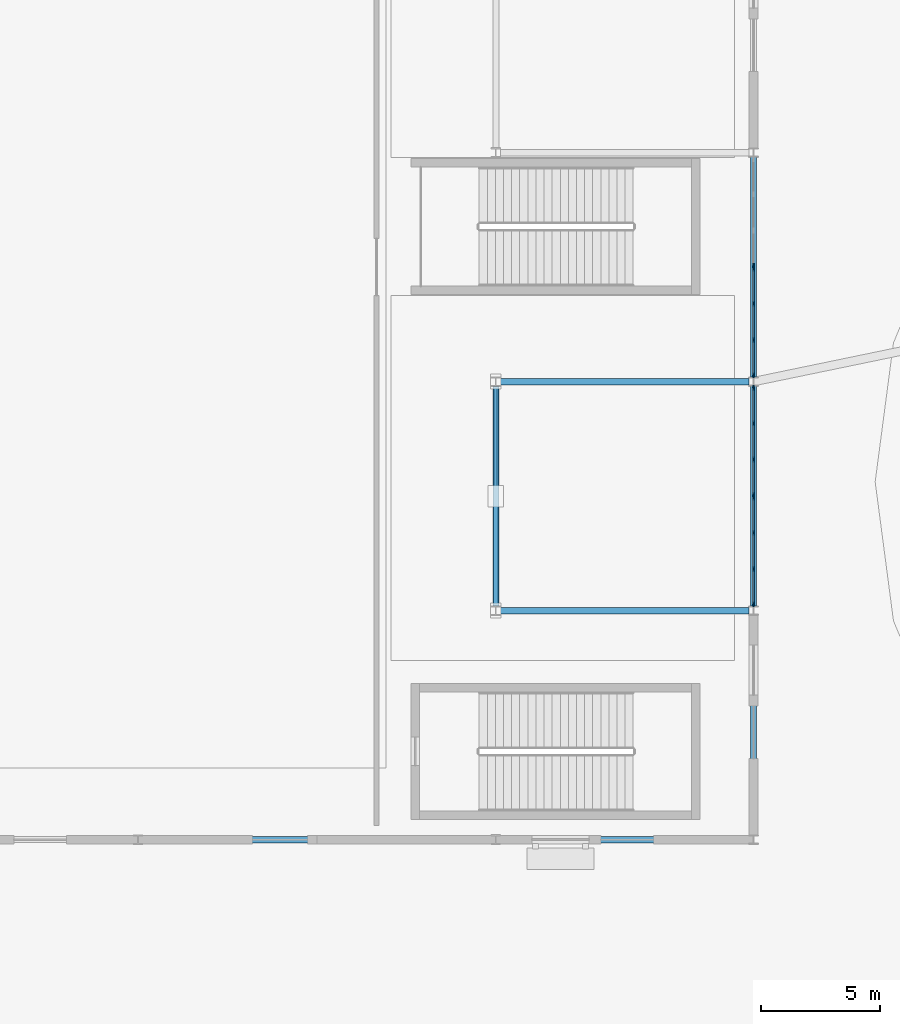
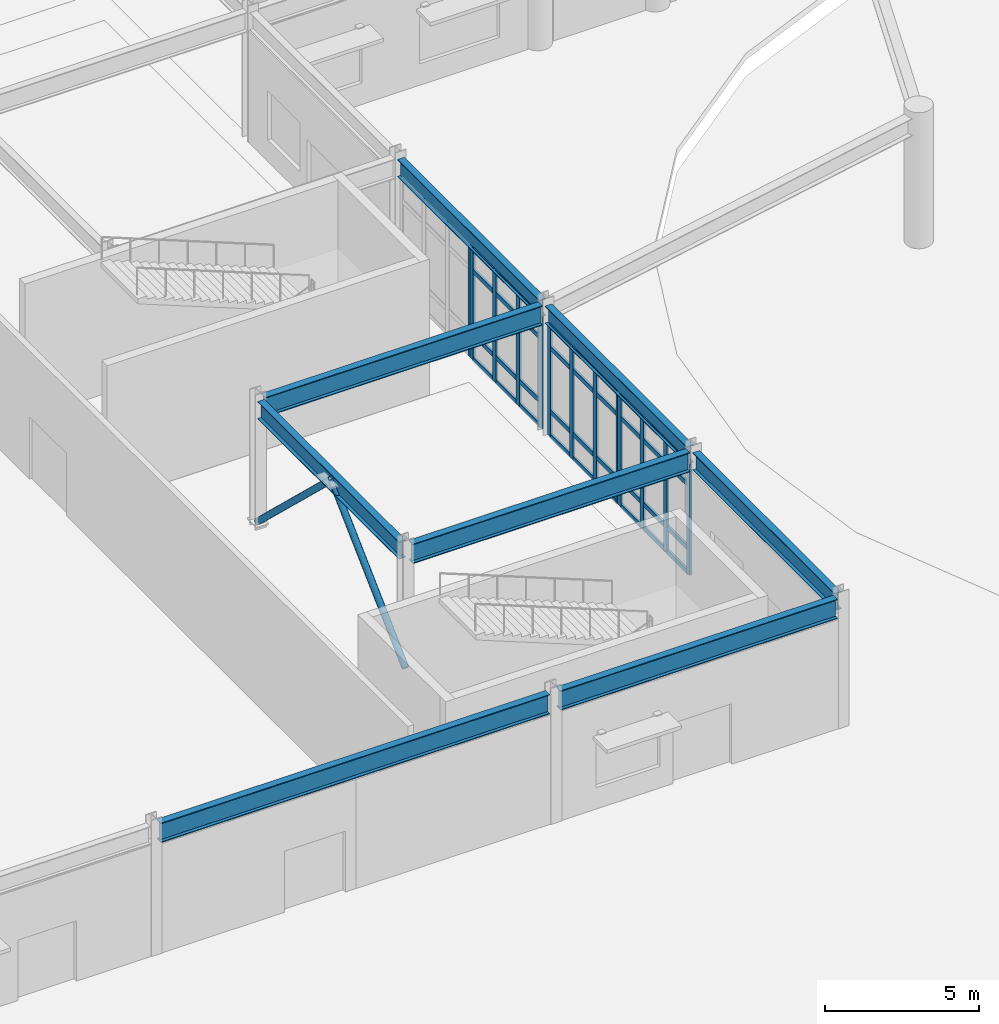
# One storey, part 14 of 54: 51 members, 8 beams, 4 elements without a shape of their own.
"""IFC4 building model written with IfcOpenShell, lengths in metres."""

from ifc_helpers import new_model, si_unit, direction, frame, origin, origin_2d, place, context, subcontext, project, spatial, rectangle, hollow_circle, i_section, extrude, material, material_profile, profile_set, type_object, element, aggregate, save


model = new_model("IFC4")

# Units and contexts
model_context = context("Model", 3, precision=1e-05, world=origin(), true_north=direction((0.0, 1.0)))
body_context = subcontext(model_context, "Body", "Model", "MODEL_VIEW")
ifc_project = project(units=[si_unit("LENGTHUNIT", "METRE"), si_unit("AREAUNIT", "SQUARE_METRE"), si_unit("VOLUMEUNIT", "CUBIC_METRE"), si_unit("PLANEANGLEUNIT", "RADIAN"), si_unit("MASSUNIT", "GRAM", prefix="KILO")], contexts=[model_context])

# Site, building, storey
site_placement = place(None, origin())
site = spatial("IfcSite", under=ifc_project, at=site_placement, CompositionType="ELEMENT")
building_placement = place(site_placement, origin())
building = spatial("IfcBuilding", under=site, at=building_placement, Name="Veldera Park Congress Hotel", CompositionType="ELEMENT")
storey_placement = place(building_placement, origin())
storey = spatial("IfcBuildingStorey", under=building, at=storey_placement, Name="L00", CompositionType="ELEMENT", Elevation=0.0)

# Beams
ifc_material_1 = material(Name="Steel ASTM A992 Gr.50", Category="steel")
ifc_material_profile_1 = material_profile(ifc_material_1, i_section(OverallWidth=0.256103515625, OverallDepth=0.693115234375, WebThickness=0.014404296875, FlangeThickness=0.023681640625, at=origin_2d()), Name="W27X114")
ifc_profile_set_1 = profile_set([ifc_material_profile_1], Name="Steel ASTM A992 Gr.50")
beam_type_1 = type_object("IfcBeamType", Name="BM-W27", PredefinedType="BEAM", material=ifc_profile_set_1)
beam_1_placement = place(storey_placement, frame((-12.39990234375, -11.196533203125, 4.7734375), z_axis=(0.0, 1.0, 0.0), x_axis=(-1.0, 0.0, 0.0)))
element("IfcBeam", 1, at=beam_1_placement, inside=storey, type_object=beam_type_1, Name="L00 Girder BM-W27 423", PredefinedType="BEAM", context=body_context, shape_type="SweptSolid", body=[
    extrude(i_section(OverallWidth=0.256103515625, OverallDepth=0.693115234375, WebThickness=0.014404296875, FlangeThickness=0.023681640625, at=origin_2d()), origin(), (0.0, 0.0, 1.0), 9.193115234375),
])
for number, where, z_axis, x_axis, name in (
    (2, (-1.60009765625, -20.8095703125, 4.7734375), (0.0, 1.0, 0.0), (-1.0, 0.0, 0.0), "L00 Girder BM-W27 429"),
    (3, (-1.60009765625, -11.20947265625, 4.7734375), (0.0, 1.0, 0.0), (-1.0, 0.0, 0.0), "L00 Girder BM-W27 430"),
):
    element("IfcBeam", number, at=place(storey_placement, frame(where, z_axis=z_axis, x_axis=x_axis)), inside=storey, type_object=beam_type_1, Name=name, PredefinedType="BEAM", context=body_context, shape_type="SweptSolid", body=[
        extrude(i_section(OverallWidth=0.256103515625, OverallDepth=0.693115234375, WebThickness=0.014404296875, FlangeThickness=0.023681640625, at=origin_2d()), origin(), (0.0, 0.0, 1.0), 9.218994140625),
    ])
beam_2_placement = place(storey_placement, frame((-1.60009765625, -1.609619140625, 4.7734375), z_axis=(0.0, 1.0, 0.0), x_axis=(-1.0, 0.0, 0.0)))
element("IfcBeam", 4, at=beam_2_placement, inside=storey, type_object=beam_type_1, Name="L00 Girder BM-W27 431", PredefinedType="BEAM", context=body_context, shape_type="SweptSolid", body=[
    extrude(i_section(OverallWidth=0.256103515625, OverallDepth=0.693115234375, WebThickness=0.014404296875, FlangeThickness=0.023681640625, at=origin_2d()), origin(), (0.0, 0.0, 1.0), 9.21923828125),
])
ifc_material_profile_2 = material_profile(ifc_material_1, i_section(OverallWidth=0.26708984375, OverallDepth=0.779052734375, WebThickness=0.0166015625, FlangeThickness=0.030029296875, at=origin_2d()), Name="W30X148")
ifc_profile_set_2 = profile_set([ifc_material_profile_2], Name="Steel ASTM A992 Gr.50")
beam_type_2 = type_object("IfcBeamType", Name="BM-W30", PredefinedType="BEAM", material=ifc_profile_set_2)
beam_3_placement = place(storey_placement, frame((-27.200439453125, -21.0, 4.73046875), z_axis=(1.0, 0.0, 0.0), x_axis=(0.0, 1.0, 0.0)))
element("IfcBeam", 5, at=beam_3_placement, inside=storey, type_object=beam_type_2, Name="L00 Girder BM-W30 305", PredefinedType="BEAM", context=body_context, shape_type="SweptSolid", body=[
    extrude(i_section(OverallWidth=0.26708984375, OverallDepth=0.779052734375, WebThickness=0.0166015625, FlangeThickness=0.030029296875, at=origin_2d()), origin(), (0.0, 0.0, 1.0), 14.597412109375),
])
beam_4_placement = place(storey_placement, frame((-12.197021484375, -21.0, 4.73046875), z_axis=(1.0, 0.0, 0.0), x_axis=(0.0, 1.0, 0.0)))
element("IfcBeam", 6, at=beam_4_placement, inside=storey, type_object=beam_type_2, Name="L00 Girder BM-W30 306", PredefinedType="BEAM", context=body_context, shape_type="SweptSolid", body=[
    extrude(i_section(OverallWidth=0.26708984375, OverallDepth=0.779052734375, WebThickness=0.0166015625, FlangeThickness=0.030029296875, at=origin_2d()), origin(), (0.0, 0.0, 1.0), 10.39892578125),
])
for number, where, z_axis, x_axis, name in (
    (7, (-12.197998046875, -11.39990234375, 4.73046875), (1.0, 0.0, 0.0), (0.0, 1.0, 0.0), "L00 Girder BM-W30 312"),
    (8, (-12.197998046875, -1.800048828125, 4.73046875), (1.0, 0.0, 0.0), (0.0, 1.0, 0.0), "L00 Girder BM-W30 315"),
):
    element("IfcBeam", number, at=place(storey_placement, frame(where, z_axis=z_axis, x_axis=x_axis)), inside=storey, type_object=beam_type_2, Name=name, PredefinedType="BEAM", context=body_context, shape_type="SweptSolid", body=[
        extrude(i_section(OverallWidth=0.26708984375, OverallDepth=0.779052734375, WebThickness=0.0166015625, FlangeThickness=0.030029296875, at=origin_2d()), origin(), (0.0, 0.0, 1.0), 10.39990234375),
    ])

# Members
ifc_material_2 = material(Name="Steel ASTM A500 Gr.C", Category="steel")
ifc_material_profile_3 = material_profile(ifc_material_2, hollow_circle(Radius=0.122314453125, WallThickness=0.012451171875, at=origin_2d()), Name="CHS 244.5x12.5")
ifc_profile_set_3 = profile_set([ifc_material_profile_3], Name="Steel ASTM A500 Gr.C")
member_type_1 = type_object("IfcMemberType", Name="BRC-CHS244", PredefinedType="BRACE", material=ifc_profile_set_3)
member_1_placement = place(storey_placement, frame((-12.39990234375, -11.39990234375, 0.199951171875), z_axis=(0.0, 0.723968893334, 0.689832618455), x_axis=(-1.0, 0.0, 0.0)))
element("IfcMember", 9, at=member_1_placement, inside=storey, type_object=member_type_1, Name="L00 Chevron Brace 6A", PredefinedType="BRACE", context=body_context, shape_type="SweptSolid", body=[
    extrude(hollow_circle(Radius=0.122314453125, WallThickness=0.012451171875, at=origin_2d()), origin(), (0.0, 0.0, 1.0), 6.6298828125),
])
member_2_placement = place(storey_placement, frame((-12.39990234375, -1.800048828125, 0.199951171875), z_axis=(0.0, -0.723986416254, 0.689814227948), x_axis=(1.0, 0.0, 0.0)))
element("IfcMember", 10, at=member_2_placement, inside=storey, type_object=member_type_1, Name="L00 Chevron Brace 6B", PredefinedType="BRACE", context=body_context, shape_type="SweptSolid", body=[
    extrude(hollow_circle(Radius=0.122314453125, WallThickness=0.012451171875, at=origin_2d()), origin(), (0.0, 0.0, 1.0), 6.630126953125),
])

# Curtain wall, members
ifc_material_3 = material(Name="Low-E Triple Insulating Glass Unit (SHGC 0.22)", Category="glass")
curtain_wall_type = type_object("IfcCurtainWallType", Name="CW-POD", PredefinedType="NOTDEFINED", material=ifc_material_3)
curtain_wall_1_placement = place(storey_placement, origin())
curtain_wall_1 = element("IfcCurtainWall", 11, at=curtain_wall_1_placement, inside=storey, type_object=curtain_wall_type, Name="L00 Curtain Wall CW3-V1E-L00-001", PredefinedType="NOTDEFINED")
ifc_material_4 = material(Name="Anodised Aluminium Alloy 6063-T6", Category="aluminium")
ifc_material_profile_4 = material_profile(ifc_material_4, rectangle(XDim=0.080078125, YDim=0.219970703125, at=origin_2d()), Name="ALU 80x220")
ifc_profile_set_4 = profile_set([ifc_material_profile_4], Name="Anodised Aluminium Alloy 6063-T6")
member_type_2 = type_object("IfcMemberType", Name="CWM-220", PredefinedType="MULLION", material=ifc_profile_set_4)
member_3_placement = place(storey_placement, frame((-1.60009765625, -11.12939453125, 0.0), z_axis=(0.0, 0.0, 1.0), x_axis=(-1.0, 0.0, 0.0)))
member_3 = element("IfcMember", 12, at=member_3_placement, type_object=member_type_2, Name="CW-POD mullion 1", PredefinedType="MULLION", context=body_context, shape_type="SweptSolid", body=[
    extrude(rectangle(XDim=0.080078125, YDim=0.219970703125, at=origin_2d()), origin(), (0.0, 0.0, 1.0), 4.422119140625),
])
member_4_placement = place(storey_placement, frame((-1.60009765625, -9.6513671875, 0.0), z_axis=(0.0, 0.0, 1.0), x_axis=(-1.0, 0.0, 0.0)))
member_4 = element("IfcMember", 13, at=member_4_placement, type_object=member_type_2, Name="CW-POD mullion 2", PredefinedType="MULLION", context=body_context, shape_type="SweptSolid", body=[
    extrude(rectangle(XDim=0.080078125, YDim=0.219970703125, at=origin_2d()), origin(), (0.0, 0.0, 1.0), 4.422119140625),
])
member_5_placement = place(storey_placement, frame((-1.60009765625, -8.133056640625, 0.0), z_axis=(0.0, 0.0, 1.0), x_axis=(-1.0, 0.0, 0.0)))
member_5 = element("IfcMember", 14, at=member_5_placement, type_object=member_type_2, Name="CW-POD mullion 3", PredefinedType="MULLION", context=body_context, shape_type="SweptSolid", body=[
    extrude(rectangle(XDim=0.080078125, YDim=0.219970703125, at=origin_2d()), origin(), (0.0, 0.0, 1.0), 4.422119140625),
])
member_6_placement = place(storey_placement, frame((-1.60009765625, -6.655029296875, 0.0), z_axis=(0.0, 0.0, 1.0), x_axis=(-1.0, 0.0, 0.0)))
member_6 = element("IfcMember", 15, at=member_6_placement, type_object=member_type_2, Name="CW-POD mullion 4", PredefinedType="MULLION", context=body_context, shape_type="SweptSolid", body=[
    extrude(rectangle(XDim=0.080078125, YDim=0.219970703125, at=origin_2d()), origin(), (0.0, 0.0, 1.0), 4.422119140625),
])

curtain_wall_2_placement = place(storey_placement, origin())
curtain_wall_2 = element("IfcCurtainWall", 16, at=curtain_wall_2_placement, inside=storey, type_object=curtain_wall_type, Name="L00 Curtain Wall CW3-V1E-L00-002", PredefinedType="NOTDEFINED")
member_7_placement = place(storey_placement, frame((-1.60009765625, -6.544921875, 0.0), z_axis=(0.0, 0.0, 1.0), x_axis=(-1.0, 0.0, 0.0)))
member_7 = element("IfcMember", 17, at=member_7_placement, type_object=member_type_2, Name="CW-POD mullion 1", PredefinedType="MULLION", context=body_context, shape_type="SweptSolid", body=[
    extrude(rectangle(XDim=0.080078125, YDim=0.219970703125, at=origin_2d()), origin(), (0.0, 0.0, 1.0), 4.422119140625),
])
member_8_placement = place(storey_placement, frame((-1.60009765625, -5.06689453125, 0.0), z_axis=(0.0, 0.0, 1.0), x_axis=(-1.0, 0.0, 0.0)))
member_8 = element("IfcMember", 18, at=member_8_placement, type_object=member_type_2, Name="CW-POD mullion 2", PredefinedType="MULLION", context=body_context, shape_type="SweptSolid", body=[
    extrude(rectangle(XDim=0.080078125, YDim=0.219970703125, at=origin_2d()), origin(), (0.0, 0.0, 1.0), 4.422119140625),
])
member_9_placement = place(storey_placement, frame((-1.60009765625, -3.548583984375, 0.0), z_axis=(0.0, 0.0, 1.0), x_axis=(-1.0, 0.0, 0.0)))
member_9 = element("IfcMember", 19, at=member_9_placement, type_object=member_type_2, Name="CW-POD mullion 3", PredefinedType="MULLION", context=body_context, shape_type="SweptSolid", body=[
    extrude(rectangle(XDim=0.080078125, YDim=0.219970703125, at=origin_2d()), origin(), (0.0, 0.0, 1.0), 4.422119140625),
])
member_10_placement = place(storey_placement, frame((-1.60009765625, -2.070556640625, 0.0), z_axis=(0.0, 0.0, 1.0), x_axis=(-1.0, 0.0, 0.0)))
member_10 = element("IfcMember", 20, at=member_10_placement, type_object=member_type_2, Name="CW-POD mullion 4", PredefinedType="MULLION", context=body_context, shape_type="SweptSolid", body=[
    extrude(rectangle(XDim=0.080078125, YDim=0.219970703125, at=origin_2d()), origin(), (0.0, 0.0, 1.0), 4.422119140625),
])

curtain_wall_3_placement = place(storey_placement, origin())
curtain_wall_3 = element("IfcCurtainWall", 21, at=curtain_wall_3_placement, inside=storey, type_object=curtain_wall_type, Name="L00 Curtain Wall CW3-V1E-L00-003", PredefinedType="NOTDEFINED")
member_11_placement = place(storey_placement, frame((-1.60009765625, -1.529541015625, 0.0), z_axis=(0.0, 0.0, 1.0), x_axis=(-1.0, 0.0, 0.0)))
member_11 = element("IfcMember", 22, at=member_11_placement, type_object=member_type_2, Name="CW-POD mullion 1", PredefinedType="MULLION", context=body_context, shape_type="SweptSolid", body=[
    extrude(rectangle(XDim=0.080078125, YDim=0.219970703125, at=origin_2d()), origin(), (0.0, 0.0, 1.0), 4.422119140625),
])
member_12_placement = place(storey_placement, frame((-1.60009765625, -0.05126953125, 0.0), z_axis=(0.0, 0.0, 1.0), x_axis=(-1.0, 0.0, 0.0)))
member_12 = element("IfcMember", 23, at=member_12_placement, type_object=member_type_2, Name="CW-POD mullion 2", PredefinedType="MULLION", context=body_context, shape_type="SweptSolid", body=[
    extrude(rectangle(XDim=0.080078125, YDim=0.219970703125, at=origin_2d()), origin(), (0.0, 0.0, 1.0), 4.422119140625),
])
member_13_placement = place(storey_placement, frame((-1.60009765625, 1.466796875, 0.0), z_axis=(0.0, 0.0, 1.0), x_axis=(-1.0, 0.0, 0.0)))
member_13 = element("IfcMember", 24, at=member_13_placement, type_object=member_type_2, Name="CW-POD mullion 3", PredefinedType="MULLION", context=body_context, shape_type="SweptSolid", body=[
    extrude(rectangle(XDim=0.080078125, YDim=0.219970703125, at=origin_2d()), origin(), (0.0, 0.0, 1.0), 4.422119140625),
])
member_14_placement = place(storey_placement, frame((-1.60009765625, 2.945068359375, 0.0), z_axis=(0.0, 0.0, 1.0), x_axis=(-1.0, 0.0, 0.0)))
member_14 = element("IfcMember", 25, at=member_14_placement, type_object=member_type_2, Name="CW-POD mullion 4", PredefinedType="MULLION", context=body_context, shape_type="SweptSolid", body=[
    extrude(rectangle(XDim=0.080078125, YDim=0.219970703125, at=origin_2d()), origin(), (0.0, 0.0, 1.0), 4.422119140625),
])

# Curtain wall, member
curtain_wall_4_placement = place(storey_placement, origin())
curtain_wall_4 = element("IfcCurtainWall", 26, at=curtain_wall_4_placement, inside=storey, type_object=curtain_wall_type, Name="L00 Curtain Wall CW3-V1E-L00-004", PredefinedType="NOTDEFINED")
member_15_placement = place(storey_placement, frame((-1.60009765625, 3.054931640625, 0.0), z_axis=(0.0, 0.0, 1.0), x_axis=(-1.0, 0.0, 0.0)))
member_15 = element("IfcMember", 27, at=member_15_placement, type_object=member_type_2, Name="CW-POD mullion 1", PredefinedType="MULLION", context=body_context, shape_type="SweptSolid", body=[
    extrude(rectangle(XDim=0.080078125, YDim=0.219970703125, at=origin_2d()), origin(), (0.0, 0.0, 1.0), 4.422119140625),
])
aggregate(curtain_wall_4, [member_15])

# Member
ifc_material_profile_5 = material_profile(ifc_material_4, rectangle(XDim=0.080078125, YDim=0.179931640625, at=origin_2d()), Name="ALU 80x180")
ifc_profile_set_5 = profile_set([ifc_material_profile_5], Name="Anodised Aluminium Alloy 6063-T6")
member_type_3 = type_object("IfcMemberType", Name="CWT-180", PredefinedType="USERDEFINED", material=ifc_profile_set_5)
member_16_placement = place(storey_placement, frame((-1.60009765625, -11.089599609375, 0.0400390625), z_axis=(0.0, 1.0, 0.0), x_axis=(-1.0, 0.0, 0.0)))
member_16 = element("IfcMember", 28, at=member_16_placement, type_object=member_type_3, Name="CW-POD transom 1.1", ObjectType="TRANSOM", PredefinedType="USERDEFINED", context=body_context, shape_type="SweptSolid", body=[
    extrude(rectangle(XDim=0.080078125, YDim=0.179931640625, at=origin_2d()), origin(), (0.0, 0.0, 1.0), 1.398193359375),
])

member_17_placement = place(storey_placement, frame((-1.60009765625, -11.089599609375, 1.0), z_axis=(0.0, 1.0, 0.0), x_axis=(-1.0, 0.0, 0.0)))
member_17 = element("IfcMember", 29, at=member_17_placement, type_object=member_type_3, Name="CW-POD transom 1.2", ObjectType="TRANSOM", PredefinedType="USERDEFINED", context=body_context, shape_type="SweptSolid", body=[
    extrude(rectangle(XDim=0.080078125, YDim=0.179931640625, at=origin_2d()), origin(), (0.0, 0.0, 1.0), 1.398193359375),
])

member_18_placement = place(storey_placement, frame((-1.60009765625, -11.089599609375, 3.52197265625), z_axis=(0.0, 1.0, 0.0), x_axis=(-1.0, 0.0, 0.0)))
member_18 = element("IfcMember", 30, at=member_18_placement, type_object=member_type_3, Name="CW-POD transom 1.3", ObjectType="TRANSOM", PredefinedType="USERDEFINED", context=body_context, shape_type="SweptSolid", body=[
    extrude(rectangle(XDim=0.080078125, YDim=0.179931640625, at=origin_2d()), origin(), (0.0, 0.0, 1.0), 1.398193359375),
])

member_19_placement = place(storey_placement, frame((-1.60009765625, -11.089599609375, 4.382080078125), z_axis=(0.0, 1.0, 0.0), x_axis=(-1.0, 0.0, 0.0)))
member_19 = element("IfcMember", 31, at=member_19_placement, type_object=member_type_3, Name="CW-POD transom 1.4", ObjectType="TRANSOM", PredefinedType="USERDEFINED", context=body_context, shape_type="SweptSolid", body=[
    extrude(rectangle(XDim=0.080078125, YDim=0.179931640625, at=origin_2d()), origin(), (0.0, 0.0, 1.0), 1.398193359375),
])

member_20_placement = place(storey_placement, frame((-1.60009765625, -9.611328125, 0.0400390625), z_axis=(0.0, 1.0, 0.0), x_axis=(-1.0, 0.0, 0.0)))
member_20 = element("IfcMember", 32, at=member_20_placement, type_object=member_type_3, Name="CW-POD transom 2.1", ObjectType="TRANSOM", PredefinedType="USERDEFINED", context=body_context, shape_type="SweptSolid", body=[
    extrude(rectangle(XDim=0.080078125, YDim=0.179931640625, at=origin_2d()), origin(), (0.0, 0.0, 1.0), 1.438232421875),
])

member_21_placement = place(storey_placement, frame((-1.60009765625, -9.611328125, 1.0), z_axis=(0.0, 1.0, 0.0), x_axis=(-1.0, 0.0, 0.0)))
member_21 = element("IfcMember", 33, at=member_21_placement, type_object=member_type_3, Name="CW-POD transom 2.2", ObjectType="TRANSOM", PredefinedType="USERDEFINED", context=body_context, shape_type="SweptSolid", body=[
    extrude(rectangle(XDim=0.080078125, YDim=0.179931640625, at=origin_2d()), origin(), (0.0, 0.0, 1.0), 1.438232421875),
])

member_22_placement = place(storey_placement, frame((-1.60009765625, -9.611328125, 3.52197265625), z_axis=(0.0, 1.0, 0.0), x_axis=(-1.0, 0.0, 0.0)))
member_22 = element("IfcMember", 34, at=member_22_placement, type_object=member_type_3, Name="CW-POD transom 2.3", ObjectType="TRANSOM", PredefinedType="USERDEFINED", context=body_context, shape_type="SweptSolid", body=[
    extrude(rectangle(XDim=0.080078125, YDim=0.179931640625, at=origin_2d()), origin(), (0.0, 0.0, 1.0), 1.438232421875),
])

member_23_placement = place(storey_placement, frame((-1.60009765625, -9.611328125, 4.382080078125), z_axis=(0.0, 1.0, 0.0), x_axis=(-1.0, 0.0, 0.0)))
member_23 = element("IfcMember", 35, at=member_23_placement, type_object=member_type_3, Name="CW-POD transom 2.4", ObjectType="TRANSOM", PredefinedType="USERDEFINED", context=body_context, shape_type="SweptSolid", body=[
    extrude(rectangle(XDim=0.080078125, YDim=0.179931640625, at=origin_2d()), origin(), (0.0, 0.0, 1.0), 1.438232421875),
])

member_24_placement = place(storey_placement, frame((-1.60009765625, -8.09326171875, 0.0400390625), z_axis=(0.0, 1.0, 0.0), x_axis=(-1.0, 0.0, 0.0)))
member_24 = element("IfcMember", 36, at=member_24_placement, type_object=member_type_3, Name="CW-POD transom 3.1", ObjectType="TRANSOM", PredefinedType="USERDEFINED", context=body_context, shape_type="SweptSolid", body=[
    extrude(rectangle(XDim=0.080078125, YDim=0.179931640625, at=origin_2d()), origin(), (0.0, 0.0, 1.0), 1.398193359375),
])

member_25_placement = place(storey_placement, frame((-1.60009765625, -8.09326171875, 1.0), z_axis=(0.0, 1.0, 0.0), x_axis=(-1.0, 0.0, 0.0)))
member_25 = element("IfcMember", 37, at=member_25_placement, type_object=member_type_3, Name="CW-POD transom 3.2", ObjectType="TRANSOM", PredefinedType="USERDEFINED", context=body_context, shape_type="SweptSolid", body=[
    extrude(rectangle(XDim=0.080078125, YDim=0.179931640625, at=origin_2d()), origin(), (0.0, 0.0, 1.0), 1.398193359375),
])

member_26_placement = place(storey_placement, frame((-1.60009765625, -8.09326171875, 3.52197265625), z_axis=(0.0, 1.0, 0.0), x_axis=(-1.0, 0.0, 0.0)))
member_26 = element("IfcMember", 38, at=member_26_placement, type_object=member_type_3, Name="CW-POD transom 3.3", ObjectType="TRANSOM", PredefinedType="USERDEFINED", context=body_context, shape_type="SweptSolid", body=[
    extrude(rectangle(XDim=0.080078125, YDim=0.179931640625, at=origin_2d()), origin(), (0.0, 0.0, 1.0), 1.398193359375),
])

member_27_placement = place(storey_placement, frame((-1.60009765625, -8.09326171875, 4.382080078125), z_axis=(0.0, 1.0, 0.0), x_axis=(-1.0, 0.0, 0.0)))
member_27 = element("IfcMember", 39, at=member_27_placement, type_object=member_type_3, Name="CW-POD transom 3.4", ObjectType="TRANSOM", PredefinedType="USERDEFINED", context=body_context, shape_type="SweptSolid", body=[
    extrude(rectangle(XDim=0.080078125, YDim=0.179931640625, at=origin_2d()), origin(), (0.0, 0.0, 1.0), 1.398193359375),
])

aggregate(curtain_wall_1, [member_3, member_4, member_5, member_6, member_16, member_17, member_18, member_19, member_20, member_21, member_22, member_23, member_24, member_25, member_26, member_27])

member_28_placement = place(storey_placement, frame((-1.60009765625, -6.5048828125, 0.0400390625), z_axis=(0.0, 1.0, 0.0), x_axis=(-1.0, 0.0, 0.0)))
member_28 = element("IfcMember", 40, at=member_28_placement, type_object=member_type_3, Name="CW-POD transom 1.1", ObjectType="TRANSOM", PredefinedType="USERDEFINED", context=body_context, shape_type="SweptSolid", body=[
    extrude(rectangle(XDim=0.080078125, YDim=0.179931640625, at=origin_2d()), origin(), (0.0, 0.0, 1.0), 1.39794921875),
])

member_29_placement = place(storey_placement, frame((-1.60009765625, -6.5048828125, 1.0), z_axis=(0.0, 1.0, 0.0), x_axis=(-1.0, 0.0, 0.0)))
member_29 = element("IfcMember", 41, at=member_29_placement, type_object=member_type_3, Name="CW-POD transom 1.2", ObjectType="TRANSOM", PredefinedType="USERDEFINED", context=body_context, shape_type="SweptSolid", body=[
    extrude(rectangle(XDim=0.080078125, YDim=0.179931640625, at=origin_2d()), origin(), (0.0, 0.0, 1.0), 1.39794921875),
])

member_30_placement = place(storey_placement, frame((-1.60009765625, -6.5048828125, 3.52197265625), z_axis=(0.0, 1.0, 0.0), x_axis=(-1.0, 0.0, 0.0)))
member_30 = element("IfcMember", 42, at=member_30_placement, type_object=member_type_3, Name="CW-POD transom 1.3", ObjectType="TRANSOM", PredefinedType="USERDEFINED", context=body_context, shape_type="SweptSolid", body=[
    extrude(rectangle(XDim=0.080078125, YDim=0.179931640625, at=origin_2d()), origin(), (0.0, 0.0, 1.0), 1.39794921875),
])

member_31_placement = place(storey_placement, frame((-1.60009765625, -6.5048828125, 4.382080078125), z_axis=(0.0, 1.0, 0.0), x_axis=(-1.0, 0.0, 0.0)))
member_31 = element("IfcMember", 43, at=member_31_placement, type_object=member_type_3, Name="CW-POD transom 1.4", ObjectType="TRANSOM", PredefinedType="USERDEFINED", context=body_context, shape_type="SweptSolid", body=[
    extrude(rectangle(XDim=0.080078125, YDim=0.179931640625, at=origin_2d()), origin(), (0.0, 0.0, 1.0), 1.39794921875),
])

member_32_placement = place(storey_placement, frame((-1.60009765625, -5.02685546875, 0.0400390625), z_axis=(0.0, 1.0, 0.0), x_axis=(-1.0, 0.0, 0.0)))
member_32 = element("IfcMember", 44, at=member_32_placement, type_object=member_type_3, Name="CW-POD transom 2.1", ObjectType="TRANSOM", PredefinedType="USERDEFINED", context=body_context, shape_type="SweptSolid", body=[
    extrude(rectangle(XDim=0.080078125, YDim=0.179931640625, at=origin_2d()), origin(), (0.0, 0.0, 1.0), 1.438232421875),
])

member_33_placement = place(storey_placement, frame((-1.60009765625, -5.02685546875, 1.0), z_axis=(0.0, 1.0, 0.0), x_axis=(-1.0, 0.0, 0.0)))
member_33 = element("IfcMember", 45, at=member_33_placement, type_object=member_type_3, Name="CW-POD transom 2.2", ObjectType="TRANSOM", PredefinedType="USERDEFINED", context=body_context, shape_type="SweptSolid", body=[
    extrude(rectangle(XDim=0.080078125, YDim=0.179931640625, at=origin_2d()), origin(), (0.0, 0.0, 1.0), 1.438232421875),
])

member_34_placement = place(storey_placement, frame((-1.60009765625, -5.02685546875, 3.52197265625), z_axis=(0.0, 1.0, 0.0), x_axis=(-1.0, 0.0, 0.0)))
member_34 = element("IfcMember", 46, at=member_34_placement, type_object=member_type_3, Name="CW-POD transom 2.3", ObjectType="TRANSOM", PredefinedType="USERDEFINED", context=body_context, shape_type="SweptSolid", body=[
    extrude(rectangle(XDim=0.080078125, YDim=0.179931640625, at=origin_2d()), origin(), (0.0, 0.0, 1.0), 1.438232421875),
])

member_35_placement = place(storey_placement, frame((-1.60009765625, -5.02685546875, 4.382080078125), z_axis=(0.0, 1.0, 0.0), x_axis=(-1.0, 0.0, 0.0)))
member_35 = element("IfcMember", 47, at=member_35_placement, type_object=member_type_3, Name="CW-POD transom 2.4", ObjectType="TRANSOM", PredefinedType="USERDEFINED", context=body_context, shape_type="SweptSolid", body=[
    extrude(rectangle(XDim=0.080078125, YDim=0.179931640625, at=origin_2d()), origin(), (0.0, 0.0, 1.0), 1.438232421875),
])

member_36_placement = place(storey_placement, frame((-1.60009765625, -3.508544921875, 0.0400390625), z_axis=(0.0, 1.0, 0.0), x_axis=(-1.0, 0.0, 0.0)))
member_36 = element("IfcMember", 48, at=member_36_placement, type_object=member_type_3, Name="CW-POD transom 3.1", ObjectType="TRANSOM", PredefinedType="USERDEFINED", context=body_context, shape_type="SweptSolid", body=[
    extrude(rectangle(XDim=0.080078125, YDim=0.179931640625, at=origin_2d()), origin(), (0.0, 0.0, 1.0), 1.39794921875),
])

member_37_placement = place(storey_placement, frame((-1.60009765625, -3.508544921875, 1.0), z_axis=(0.0, 1.0, 0.0), x_axis=(-1.0, 0.0, 0.0)))
member_37 = element("IfcMember", 49, at=member_37_placement, type_object=member_type_3, Name="CW-POD transom 3.2", ObjectType="TRANSOM", PredefinedType="USERDEFINED", context=body_context, shape_type="SweptSolid", body=[
    extrude(rectangle(XDim=0.080078125, YDim=0.179931640625, at=origin_2d()), origin(), (0.0, 0.0, 1.0), 1.39794921875),
])

member_38_placement = place(storey_placement, frame((-1.60009765625, -3.508544921875, 3.52197265625), z_axis=(0.0, 1.0, 0.0), x_axis=(-1.0, 0.0, 0.0)))
member_38 = element("IfcMember", 50, at=member_38_placement, type_object=member_type_3, Name="CW-POD transom 3.3", ObjectType="TRANSOM", PredefinedType="USERDEFINED", context=body_context, shape_type="SweptSolid", body=[
    extrude(rectangle(XDim=0.080078125, YDim=0.179931640625, at=origin_2d()), origin(), (0.0, 0.0, 1.0), 1.39794921875),
])

member_39_placement = place(storey_placement, frame((-1.60009765625, -3.508544921875, 4.382080078125), z_axis=(0.0, 1.0, 0.0), x_axis=(-1.0, 0.0, 0.0)))
member_39 = element("IfcMember", 51, at=member_39_placement, type_object=member_type_3, Name="CW-POD transom 3.4", ObjectType="TRANSOM", PredefinedType="USERDEFINED", context=body_context, shape_type="SweptSolid", body=[
    extrude(rectangle(XDim=0.080078125, YDim=0.179931640625, at=origin_2d()), origin(), (0.0, 0.0, 1.0), 1.39794921875),
])

aggregate(curtain_wall_2, [member_7, member_8, member_9, member_10, member_28, member_29, member_30, member_31, member_32, member_33, member_34, member_35, member_36, member_37, member_38, member_39])

member_40_placement = place(storey_placement, frame((-1.60009765625, -1.489501953125, 0.0400390625), z_axis=(0.0, 1.0, 0.0), x_axis=(-1.0, 0.0, 0.0)))
member_40 = element("IfcMember", 52, at=member_40_placement, type_object=member_type_3, Name="CW-POD transom 1.1", ObjectType="TRANSOM", PredefinedType="USERDEFINED", context=body_context, shape_type="SweptSolid", body=[
    extrude(rectangle(XDim=0.080078125, YDim=0.179931640625, at=origin_2d()), origin(), (0.0, 0.0, 1.0), 1.398193359375),
])

member_41_placement = place(storey_placement, frame((-1.60009765625, -1.489501953125, 1.0), z_axis=(0.0, 1.0, 0.0), x_axis=(-1.0, 0.0, 0.0)))
member_41 = element("IfcMember", 53, at=member_41_placement, type_object=member_type_3, Name="CW-POD transom 1.2", ObjectType="TRANSOM", PredefinedType="USERDEFINED", context=body_context, shape_type="SweptSolid", body=[
    extrude(rectangle(XDim=0.080078125, YDim=0.179931640625, at=origin_2d()), origin(), (0.0, 0.0, 1.0), 1.398193359375),
])

member_42_placement = place(storey_placement, frame((-1.60009765625, -1.489501953125, 3.52197265625), z_axis=(0.0, 1.0, 0.0), x_axis=(-1.0, 0.0, 0.0)))
member_42 = element("IfcMember", 54, at=member_42_placement, type_object=member_type_3, Name="CW-POD transom 1.3", ObjectType="TRANSOM", PredefinedType="USERDEFINED", context=body_context, shape_type="SweptSolid", body=[
    extrude(rectangle(XDim=0.080078125, YDim=0.179931640625, at=origin_2d()), origin(), (0.0, 0.0, 1.0), 1.398193359375),
])

member_43_placement = place(storey_placement, frame((-1.60009765625, -1.489501953125, 4.382080078125), z_axis=(0.0, 1.0, 0.0), x_axis=(-1.0, 0.0, 0.0)))
member_43 = element("IfcMember", 55, at=member_43_placement, type_object=member_type_3, Name="CW-POD transom 1.4", ObjectType="TRANSOM", PredefinedType="USERDEFINED", context=body_context, shape_type="SweptSolid", body=[
    extrude(rectangle(XDim=0.080078125, YDim=0.179931640625, at=origin_2d()), origin(), (0.0, 0.0, 1.0), 1.398193359375),
])

member_44_placement = place(storey_placement, frame((-1.60009765625, -0.01123046875, 0.0400390625), z_axis=(0.0, 1.0, 0.0), x_axis=(-1.0, 0.0, 0.0)))
member_44 = element("IfcMember", 56, at=member_44_placement, type_object=member_type_3, Name="CW-POD transom 2.1", ObjectType="TRANSOM", PredefinedType="USERDEFINED", context=body_context, shape_type="SweptSolid", body=[
    extrude(rectangle(XDim=0.080078125, YDim=0.179931640625, at=origin_2d()), origin(), (0.0, 0.0, 1.0), 1.43798828125),
])

member_45_placement = place(storey_placement, frame((-1.60009765625, -0.01123046875, 1.0), z_axis=(0.0, 1.0, 0.0), x_axis=(-1.0, 0.0, 0.0)))
member_45 = element("IfcMember", 57, at=member_45_placement, type_object=member_type_3, Name="CW-POD transom 2.2", ObjectType="TRANSOM", PredefinedType="USERDEFINED", context=body_context, shape_type="SweptSolid", body=[
    extrude(rectangle(XDim=0.080078125, YDim=0.179931640625, at=origin_2d()), origin(), (0.0, 0.0, 1.0), 1.43798828125),
])

member_46_placement = place(storey_placement, frame((-1.60009765625, -0.01123046875, 3.52197265625), z_axis=(0.0, 1.0, 0.0), x_axis=(-1.0, 0.0, 0.0)))
member_46 = element("IfcMember", 58, at=member_46_placement, type_object=member_type_3, Name="CW-POD transom 2.3", ObjectType="TRANSOM", PredefinedType="USERDEFINED", context=body_context, shape_type="SweptSolid", body=[
    extrude(rectangle(XDim=0.080078125, YDim=0.179931640625, at=origin_2d()), origin(), (0.0, 0.0, 1.0), 1.43798828125),
])

member_47_placement = place(storey_placement, frame((-1.60009765625, -0.01123046875, 4.382080078125), z_axis=(0.0, 1.0, 0.0), x_axis=(-1.0, 0.0, 0.0)))
member_47 = element("IfcMember", 59, at=member_47_placement, type_object=member_type_3, Name="CW-POD transom 2.4", ObjectType="TRANSOM", PredefinedType="USERDEFINED", context=body_context, shape_type="SweptSolid", body=[
    extrude(rectangle(XDim=0.080078125, YDim=0.179931640625, at=origin_2d()), origin(), (0.0, 0.0, 1.0), 1.43798828125),
])

member_48_placement = place(storey_placement, frame((-1.60009765625, 1.5068359375, 0.0400390625), z_axis=(0.0, 1.0, 0.0), x_axis=(-1.0, 0.0, 0.0)))
member_48 = element("IfcMember", 60, at=member_48_placement, type_object=member_type_3, Name="CW-POD transom 3.1", ObjectType="TRANSOM", PredefinedType="USERDEFINED", context=body_context, shape_type="SweptSolid", body=[
    extrude(rectangle(XDim=0.080078125, YDim=0.179931640625, at=origin_2d()), origin(), (0.0, 0.0, 1.0), 1.398193359375),
])

member_49_placement = place(storey_placement, frame((-1.60009765625, 1.5068359375, 1.0), z_axis=(0.0, 1.0, 0.0), x_axis=(-1.0, 0.0, 0.0)))
member_49 = element("IfcMember", 61, at=member_49_placement, type_object=member_type_3, Name="CW-POD transom 3.2", ObjectType="TRANSOM", PredefinedType="USERDEFINED", context=body_context, shape_type="SweptSolid", body=[
    extrude(rectangle(XDim=0.080078125, YDim=0.179931640625, at=origin_2d()), origin(), (0.0, 0.0, 1.0), 1.398193359375),
])

member_50_placement = place(storey_placement, frame((-1.60009765625, 1.5068359375, 3.52197265625), z_axis=(0.0, 1.0, 0.0), x_axis=(-1.0, 0.0, 0.0)))
member_50 = element("IfcMember", 62, at=member_50_placement, type_object=member_type_3, Name="CW-POD transom 3.3", ObjectType="TRANSOM", PredefinedType="USERDEFINED", context=body_context, shape_type="SweptSolid", body=[
    extrude(rectangle(XDim=0.080078125, YDim=0.179931640625, at=origin_2d()), origin(), (0.0, 0.0, 1.0), 1.398193359375),
])

member_51_placement = place(storey_placement, frame((-1.60009765625, 1.5068359375, 4.382080078125), z_axis=(0.0, 1.0, 0.0), x_axis=(-1.0, 0.0, 0.0)))
member_51 = element("IfcMember", 63, at=member_51_placement, type_object=member_type_3, Name="CW-POD transom 3.4", ObjectType="TRANSOM", PredefinedType="USERDEFINED", context=body_context, shape_type="SweptSolid", body=[
    extrude(rectangle(XDim=0.080078125, YDim=0.179931640625, at=origin_2d()), origin(), (0.0, 0.0, 1.0), 1.398193359375),
])

aggregate(curtain_wall_3, [member_11, member_12, member_13, member_14, member_40, member_41, member_42, member_43, member_44, member_45, member_46, member_47, member_48, member_49, member_50, member_51])

save(model, "model.ifc")
